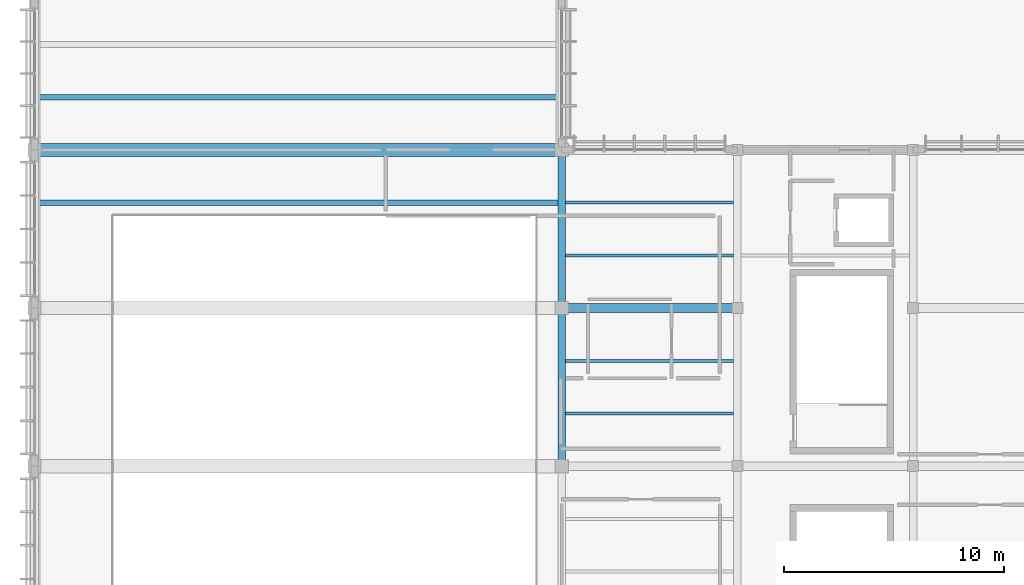
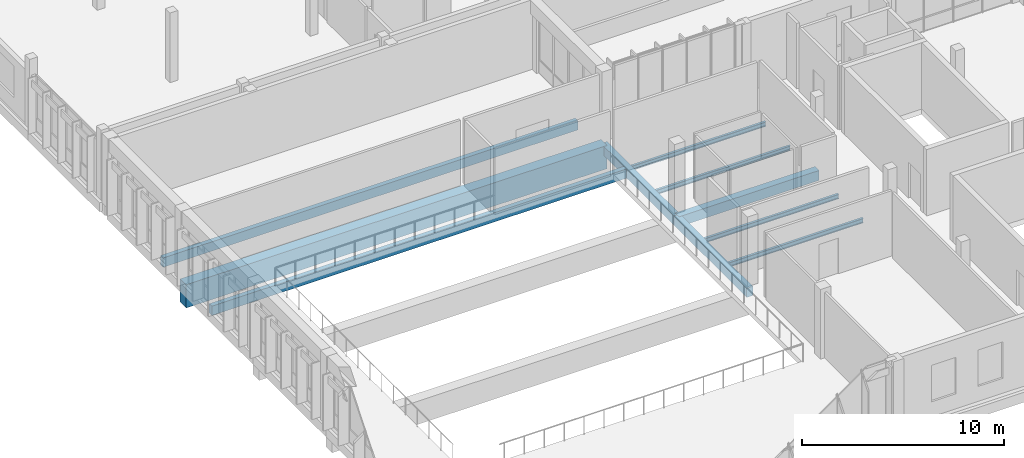
# One storey, part 22 of 182: 10 beams.
"""IFC4 building model written with IfcOpenShell, lengths in metres."""

from ifc_helpers import new_model, si_unit, direction, frame, origin, origin_2d, place, context, subcontext, project, spatial, rectangle, i_section, extrude, material, material_profile, profile_set, type_object, element, save


model = new_model("IFC4")

# Units and contexts
model_context = context("Model", 3, precision=1e-05, world=origin(), true_north=direction((0.0, 1.0)))
body_context = subcontext(model_context, "Body", "Model", "MODEL_VIEW")
ifc_project = project(units=[si_unit("LENGTHUNIT", "METRE"), si_unit("AREAUNIT", "SQUARE_METRE"), si_unit("VOLUMEUNIT", "CUBIC_METRE"), si_unit("PLANEANGLEUNIT", "RADIAN"), si_unit("MASSUNIT", "GRAM", prefix="KILO")], contexts=[model_context])

# Site, building, storey
site_placement = place(None, origin())
site = spatial("IfcSite", under=ifc_project, at=site_placement, CompositionType="ELEMENT")
building_placement = place(site_placement, origin())
building = spatial("IfcBuilding", under=site, at=building_placement, Name="Chiffa Square Polytechnic", CompositionType="ELEMENT")
storey_placement = place(building_placement, frame((0.0, 0.0, 9.60009765625)))
storey = spatial("IfcBuildingStorey", under=building, at=storey_placement, Name="L02", CompositionType="ELEMENT", Elevation=9.60009765625)

# Beams
ifc_material_1 = material(Name="Concrete C35/45", Category="concrete")
ifc_material_profile_1 = material_profile(ifc_material_1, rectangle(XDim=0.35009765625, YDim=0.550048828125, at=origin_2d()), Name="RC 350x550")
ifc_profile_set_1 = profile_set([ifc_material_profile_1], Name="Concrete C35/45")
beam_type_1 = type_object("IfcBeamType", Name="BM-RC-350X550", PredefinedType="BEAM", material=ifc_profile_set_1)
beam_1_placement = place(storey_placement, frame((24.0, 14.39990234375, -0.59521484375), z_axis=(0.0, 1.0, 0.0), x_axis=(-1.0, 0.0, 0.0)))
element("IfcBeam", 1, at=beam_1_placement, inside=storey, type_object=beam_type_1, Name="Primary floor girder BM-V3-L02-Y-0240-0144", PredefinedType="BEAM", context=body_context, shape_type="SweptSolid", body=[
    extrude(rectangle(XDim=0.35009765625, YDim=0.550048828125, at=origin_2d()), origin(), (0.0, 0.0, 1.0), 7.2001953125),
])
beam_2_placement = place(storey_placement, frame((24.0, 21.60009765625, -0.59521484375), z_axis=(0.0, 1.0, 0.0), x_axis=(-1.0, 0.0, 0.0)))
element("IfcBeam", 2, at=beam_2_placement, inside=storey, type_object=beam_type_1, Name="Primary floor girder BM-V3-L02-Y-0240-0216", PredefinedType="BEAM", context=body_context, shape_type="SweptSolid", body=[
    extrude(rectangle(XDim=0.35009765625, YDim=0.550048828125, at=origin_2d()), origin(), (0.0, 0.0, 1.0), 7.199951171875),
])
ifc_material_profile_2 = material_profile(ifc_material_1, rectangle(XDim=0.39990234375, YDim=0.60009765625, at=origin_2d()), Name="RC 400x600")
ifc_profile_set_2 = profile_set([ifc_material_profile_2], Name="Concrete C35/45")
beam_type_2 = type_object("IfcBeamType", Name="BM-RC-400X600", PredefinedType="BEAM", material=ifc_profile_set_2)
beam_3_placement = place(storey_placement, frame((24.0, 21.60009765625, -0.6201171875), z_axis=(1.0, 0.0, 0.0), x_axis=(0.0, 1.0, 0.0)))
element("IfcBeam", 3, at=beam_3_placement, inside=storey, type_object=beam_type_2, Name="Primary floor girder BM-V3-L02-X-0240-0216", PredefinedType="BEAM", context=body_context, shape_type="SweptSolid", body=[
    extrude(rectangle(XDim=0.39990234375, YDim=0.60009765625, at=origin_2d()), origin(), (0.0, 0.0, 1.0), 8.0),
])
ifc_material_2 = material(Name="Concrete C40/50", Category="concrete")
ifc_material_profile_3 = material_profile(ifc_material_2, rectangle(XDim=0.60009765625, YDim=1.39990234375, at=origin_2d()), Name="RC 600x1400")
ifc_profile_set_3 = profile_set([ifc_material_profile_3], Name="Concrete C40/50")
beam_type_3 = type_object("IfcBeamType", Name="BM-RC-600X1400", PredefinedType="BEAM", material=ifc_profile_set_3)
beam_4_placement = place(storey_placement, frame((0.0, 28.800048828125, -1.02001953125), z_axis=(1.0, 0.0, 0.0), x_axis=(0.0, 1.0, 0.0)))
element("IfcBeam", 4, at=beam_4_placement, inside=storey, type_object=beam_type_3, Name="Primary floor girder BM-V3-L02-X-0000-0288", PredefinedType="BEAM", context=body_context, shape_type="SweptSolid", body=[
    extrude(rectangle(XDim=0.60009765625, YDim=1.39990234375, at=origin_2d()), origin(), (0.0, 0.0, 1.0), 24.0),
])
ifc_material_3 = material(Name="Glulam GL28h", Category="wood")
ifc_material_profile_4 = material_profile(ifc_material_3, rectangle(XDim=0.260009765625, YDim=0.56005859375, at=origin_2d()), Name="GL28h 260x560")
ifc_profile_set_4 = profile_set([ifc_material_profile_4], Name="Glulam GL28h")
beam_type_4 = type_object("IfcBeamType", Name="JST-GL-260X560", PredefinedType="JOIST", material=ifc_profile_set_4)
for number, where, z_axis, x_axis, name in (
    (5, (0.173095703125, 26.39990234375, -0.60009765625), (1.0, 0.0, 0.0), (0.0, 1.0, 0.0), "Secondary floor joist JST-V3-L02-0000-0264"),
    (6, (0.173095703125, 31.199951171875, -0.60009765625), (1.0, 0.0, 0.0), (0.0, 1.0, 0.0), "Secondary floor joist JST-V3-L02-0000-0312"),
):
    element("IfcBeam", number, at=place(storey_placement, frame(where, z_axis=z_axis, x_axis=x_axis)), inside=storey, type_object=beam_type_4, Name=name, PredefinedType="JOIST", context=body_context, shape_type="SweptSolid", body=[
        extrude(rectangle(XDim=0.260009765625, YDim=0.56005859375, at=origin_2d()), origin(), (0.0, 0.0, 1.0), 23.65380859375),
    ])
ifc_material_4 = material(Name="Steel S355", Category="steel")
ifc_material_profile_5 = material_profile(ifc_material_4, i_section(OverallWidth=0.135009765625, OverallDepth=0.27001953125, WebThickness=0.006591796875, FlangeThickness=0.01025390625, FilletRadius=0.014892578125, at=origin_2d()), Name="IPE 270")
ifc_profile_set_5 = profile_set([ifc_material_profile_5], Name="Steel S355")
beam_type_5 = type_object("IfcBeamType", Name="JST-STL-IPE270", PredefinedType="JOIST", material=ifc_profile_set_5)
for number, where, z_axis, x_axis, name in (
    (7, (24.173095703125, 16.800048828125, -0.455078125), (1.0, 0.0, 0.0), (0.0, 1.0, 0.0), "Secondary floor joist JST-V3-L02-0240-0168"),
    (8, (24.173095703125, 19.199951171875, -0.455078125), (1.0, 0.0, 0.0), (0.0, 1.0, 0.0), "Secondary floor joist JST-V3-L02-0240-0192"),
    (9, (24.173095703125, 24.0, -0.455078125), (1.0, 0.0, 0.0), (0.0, 1.0, 0.0), "Secondary floor joist JST-V3-L02-0240-0240"),
    (10, (24.173095703125, 26.39990234375, -0.455078125), (1.0, 0.0, 0.0), (0.0, 1.0, 0.0), "Secondary floor joist JST-V3-L02-0240-0264"),
):
    element("IfcBeam", number, at=place(storey_placement, frame(where, z_axis=z_axis, x_axis=x_axis)), inside=storey, type_object=beam_type_5, Name=name, PredefinedType="JOIST", context=body_context, shape_type="SweptSolid", body=[
        extrude(i_section(OverallWidth=0.135009765625, OverallDepth=0.27001953125, WebThickness=0.006591796875, FlangeThickness=0.01025390625, FilletRadius=0.014892578125, at=origin_2d()), origin(), (0.0, 0.0, 1.0), 7.65380859375),
    ])

save(model, "model.ifc")
